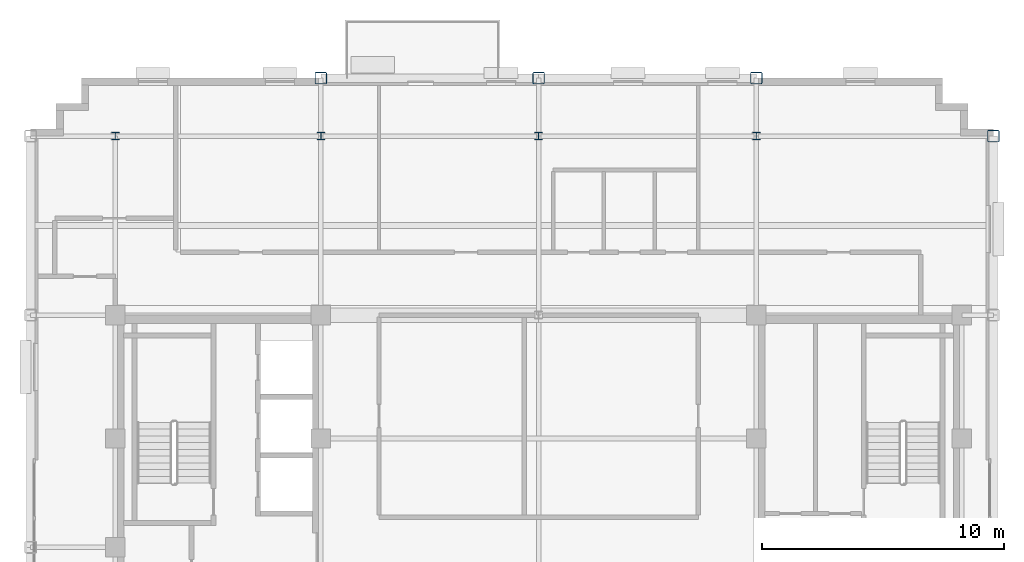
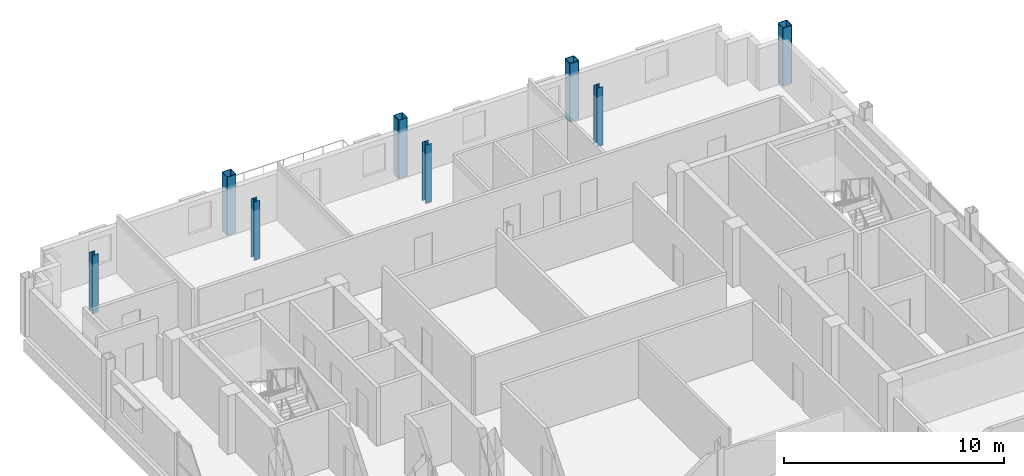
# One storey, part 3 of 16: 8 columns.
"""IFC4 building model written with IfcOpenShell, lengths in metres."""

from ifc_helpers import new_model, si_unit, direction, frame, origin, origin_2d, place, context, subcontext, project, spatial, hollow_rectangle, i_section, extrude, material, material_profile, profile_set, type_object, element, save


model = new_model("IFC4")

# Units and contexts
model_context = context("Model", 3, precision=1e-05, world=origin(), true_north=direction((0.0, 1.0)))
body_context = subcontext(model_context, "Body", "Model", "MODEL_VIEW")
ifc_project = project(units=[si_unit("LENGTHUNIT", "METRE"), si_unit("AREAUNIT", "SQUARE_METRE"), si_unit("VOLUMEUNIT", "CUBIC_METRE"), si_unit("PLANEANGLEUNIT", "RADIAN"), si_unit("MASSUNIT", "GRAM", prefix="KILO")], contexts=[model_context])

# Site, building, storey
site_placement = place(None, origin())
site = spatial("IfcSite", under=ifc_project, at=site_placement, CompositionType="ELEMENT")
building_placement = place(site_placement, origin())
building = spatial("IfcBuilding", under=site, at=building_placement, Name="Nuvemarco Arch Tower", CompositionType="ELEMENT")
storey_placement = place(building_placement, frame((0.0, 0.0, 249.300048828125)))
storey = spatial("IfcBuildingStorey", under=building, at=storey_placement, Name="L66", CompositionType="ELEMENT", Elevation=249.300048828125)

# Columns
ifc_material = material(Name="Steel S355", Category="steel")
ifc_material_profile_1 = material_profile(ifc_material, hollow_rectangle(XDim=0.5, YDim=0.5, WallThickness=0.031982421875, InnerFilletRadius=0.031982421875, OuterFilletRadius=0.06396484375, at=origin_2d()), Name="SHS500x500x32")
ifc_profile_set_1 = profile_set([ifc_material_profile_1], Name="Steel S355")
column_type_1 = type_object("IfcColumnType", Name="COL-EXO-500", PredefinedType="COLUMN", material=ifc_profile_set_1)
for number, where, z_axis, x_axis, name in (
    (1, (18.800048828125, 17.0, 0.0), (0.0, 0.0, 1.0), (1.0, 0.0, 0.0), "L66 column CX_+18.8_+17.0"),
    (2, (-9.0, 19.39990234375, 0.0), (0.0, 0.0, 1.0), (1.0, 0.0, 0.0), "L66 column CY_-9.0_+19.4"),
    (3, (0.0, 19.39990234375, 0.0), (0.0, 0.0, 1.0), (1.0, 0.0, 0.0), "L66 column CY_+0.0_+19.4"),
    (4, (9.0, 19.39990234375, 0.0), (0.0, 0.0, 1.0), (1.0, 0.0, 0.0), "L66 column CY_+9.0_+19.4"),
):
    element("IfcColumn", number, at=place(storey_placement, frame(where, z_axis=z_axis, x_axis=x_axis)), inside=storey, type_object=column_type_1, Name=name, PredefinedType="COLUMN", context=body_context, shape_type="SweptSolid", body=[
        extrude(hollow_rectangle(XDim=0.5, YDim=0.5, WallThickness=0.031982421875, InnerFilletRadius=0.031982421875, OuterFilletRadius=0.06396484375, at=origin_2d()), origin(), (0.0, 0.0, 1.0), 3.25),
    ])
ifc_material_profile_2 = material_profile(ifc_material, i_section(OverallWidth=0.31005859375, OverallDepth=0.31005859375, WebThickness=0.015380859375, FlangeThickness=0.015380859375, FilletRadius=0.014892578125, at=origin_2d()), Name="HP310x110")
ifc_profile_set_2 = profile_set([ifc_material_profile_2], Name="Steel S355")
column_type_2 = type_object("IfcColumnType", Name="COL-STL-HP310", PredefinedType="COLUMN", material=ifc_profile_set_2)
for number, where, z_axis, x_axis, name in (
    (5, (0.0, 17.0, 0.0), (0.0, 0.0, 1.0), (1.0, 0.0, 0.0), "L66 column CI_+0.0_+17.0"),
    (6, (-17.5, 17.0, 0.0), (0.0, 0.0, 1.0), (1.0, 0.0, 0.0), "L66 column CI_-17.5_+17.0"),
    (7, (-9.0, 17.0, 0.0), (0.0, 0.0, 1.0), (1.0, 0.0, 0.0), "L66 column CI_-9.0_+17.0"),
    (8, (9.0, 17.0, 0.0), (0.0, 0.0, 1.0), (1.0, 0.0, 0.0), "L66 column CI_+9.0_+17.0"),
):
    element("IfcColumn", number, at=place(storey_placement, frame(where, z_axis=z_axis, x_axis=x_axis)), inside=storey, type_object=column_type_2, Name=name, PredefinedType="COLUMN", context=body_context, shape_type="SweptSolid", body=[
        extrude(i_section(OverallWidth=0.31005859375, OverallDepth=0.31005859375, WebThickness=0.015380859375, FlangeThickness=0.015380859375, FilletRadius=0.014892578125, at=origin_2d()), origin(), (0.0, 0.0, 1.0), 3.25),
    ])

save(model, "model.ifc")
